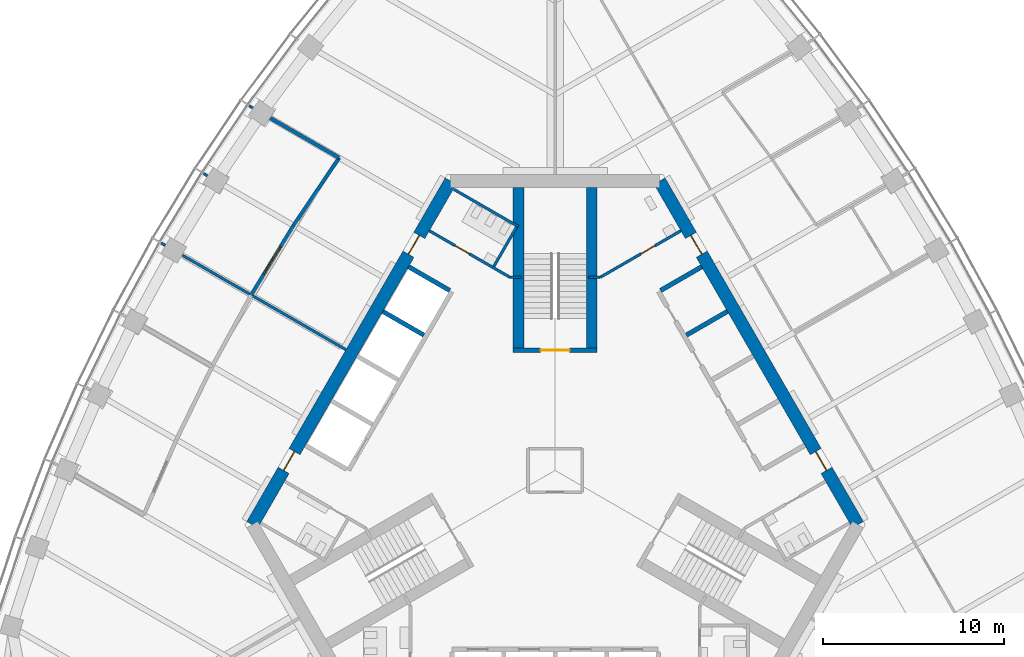
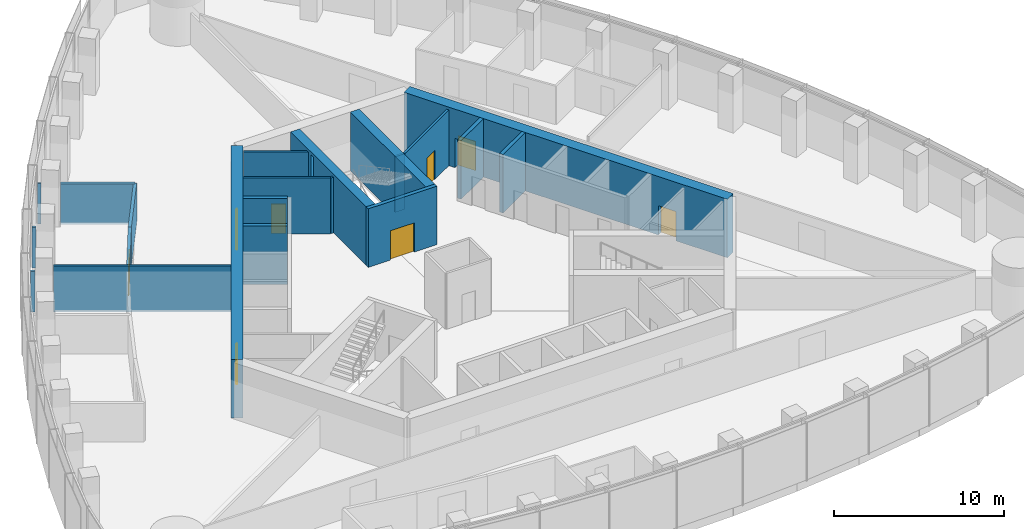
# One storey, part 13 of 19: 22 walls, 8 doors, 8 openings.
"""IFC4 building model written with IfcOpenShell, lengths in metres."""

from ifc_helpers import new_model, si_unit, direction, frame, frame_2d, origin, place, context, subcontext, project, spatial, rectangle, extrude, material, layer, layer_set, type_object, element, fill, save


model = new_model("IFC4")

# Units and contexts
model_context = context("Model", 3, precision=1e-05, world=origin(), true_north=direction((0.0, 1.0)))
body_context = subcontext(model_context, "Body", "Model", "MODEL_VIEW")
ifc_project = project(units=[si_unit("LENGTHUNIT", "METRE"), si_unit("AREAUNIT", "SQUARE_METRE"), si_unit("VOLUMEUNIT", "CUBIC_METRE"), si_unit("PLANEANGLEUNIT", "RADIAN"), si_unit("MASSUNIT", "GRAM", prefix="KILO")], contexts=[model_context])

# Site, building, storey
site_placement = place(None, origin())
site = spatial("IfcSite", under=ifc_project, at=site_placement, CompositionType="ELEMENT")
building_placement = place(site_placement, origin())
building = spatial("IfcBuilding", under=site, at=building_placement, Name="Trefoil Bronze Tower", CompositionType="ELEMENT")
storey_placement = place(building_placement, frame((0.0, 0.0, 227.5)))
storey = spatial("IfcBuildingStorey", under=building, at=storey_placement, Name="L52", CompositionType="ELEMENT", Elevation=227.5)

# Wall, opening, door
ifc_material_1 = material(Name="Gypsum board on steel studs", Category="steel")
ifc_layer_1 = layer(ifc_material_1, 0.199951171875)
ifc_layer_set_1 = layer_set([ifc_layer_1], Name="Acoustic partition 200")
wall_type_1 = type_object("IfcWallType", Name="Acoustic partition 200", PredefinedType="PARTITIONING", material=ifc_layer_set_1)
wall_1_placement = place(storey_placement, frame((-14.4619140625, 13.545654296875, 0.0), z_axis=(0.0, 0.0, 1.0), x_axis=(-0.519790350351, -0.85429385558, 0.0)))
wall_1 = element("IfcWall", 1, at=wall_1_placement, inside=storey, type_object=wall_type_1, Name="Partition F3 L52", PredefinedType="PARTITIONING", context=body_context, shape_type="SweptSolid", body=[
    extrude(rectangle(XDim=4.5009765625, YDim=0.199951171875, at=frame_2d((2.25048828125, 0.0))), origin(), (0.0, 0.0, 1.0), 2.89990234375),
])
opening_1_placement = place(wall_1_placement, frame((1.35009765625, 0.0, 0.14990234375)))
opening_1 = element("IfcOpeningElement", 2, at=opening_1_placement, cuts=wall_1, Name="Opening D10", PredefinedType="OPENING", context=body_context, shape_type="SweptSolid", body=[
    extrude(rectangle(XDim=1.800048828125, YDim=2.10009765625, at=frame_2d((0.89990234375, 1.050048828125))), frame((0.0, 0.10986328125, 0.0), z_axis=(0.0, -1.0, 0.0), x_axis=(1.0, 0.0, 0.0)), (0.0, 0.0, 1.0), 0.219970703125),
])
ifc_material_2 = material(Name="Timber door", Category="wood")
door_type_1 = type_object("IfcDoorType", Name="Double door 1800", OperationType="DOUBLE_DOOR_SINGLE_SWING", PredefinedType="DOOR", material=ifc_material_2)
door_1_placement = place(opening_1_placement, origin())
door_1 = element("IfcDoor", 3, at=door_1_placement, inside=storey, type_object=door_type_1, Name="Training room door F3 L52", OperationType="DOUBLE_DOOR_SINGLE_SWING", OverallHeight=2.10009765625, OverallWidth=1.800048828125, PredefinedType="DOOR", context=body_context, shape_type="SweptSolid", body=[
    extrude(rectangle(XDim=1.800048828125, YDim=2.10009765625, at=frame_2d((0.89990234375, 1.050048828125))), frame((0.0, 0.02490234375, 0.0), z_axis=(0.0, -1.0, 0.0), x_axis=(1.0, 0.0, 0.0)), (0.0, 0.0, 1.0), 0.050048828125),
])
fill(opening_1, door_1)

# Walls
wall_2_placement = place(storey_placement, frame((-11.942626953125, 17.287353515625, 0.0), z_axis=(0.0, 0.0, 1.0), x_axis=(-0.55850386778, -0.829501916619, 0.0)))
element("IfcWall", 4, at=wall_2_placement, inside=storey, type_object=wall_type_1, Name="Partition F3 L52", PredefinedType="PARTITIONING", context=body_context, shape_type="SweptSolid", body=[
    extrude(rectangle(XDim=4.5107421875, YDim=0.199951171875, at=frame_2d((2.25537109375, 0.0))), origin(), (0.0, 0.0, 1.0), 2.89990234375),
])
wall_3_placement = place(storey_placement, frame((-11.942626953125, 17.287353515625, 0.0), z_axis=(0.0, 0.0, 1.0), x_axis=(-0.86600959659, 0.500027377864, 0.0)))
element("IfcWall", 5, at=wall_3_placement, inside=storey, type_object=wall_type_1, Name="Partition F3 L52", PredefinedType="PARTITIONING", context=body_context, shape_type="SweptSolid", body=[
    extrude(rectangle(XDim=4.389404296875, YDim=0.199951171875, at=frame_2d((2.19482421875, 0.0))), origin(), (0.0, 0.0, 1.0), 2.89990234375),
])

# Wall, openings, doors
ifc_material_3 = material(Name="Concrete B80", Category="concrete")
ifc_layer_2 = layer(ifc_material_3, 0.699951171875)
ifc_layer_set_2 = layer_set([ifc_layer_2], Name="Core wall 700")
wall_type_2 = type_object("IfcWallType", Name="Core wall 700", PredefinedType="SHEAR", material=ifc_layer_set_2)
wall_4_placement = place(storey_placement, frame((16.7431640625, -3.0, 0.0), z_axis=(0.0, 0.0, 1.0), x_axis=(-0.500002442456, 0.866023993627, 0.0)))
wall_4 = element("IfcWall", 6, at=wall_4_placement, inside=storey, type_object=wall_type_2, Name="Core long wall 2 L52", PredefinedType="SHEAR", context=body_context, shape_type="SweptSolid", body=[
    extrude(rectangle(XDim=21.939453125, YDim=0.699951171875, at=frame_2d((10.9697265625, 0.0))), origin(), (0.0, 0.0, 1.0), 4.199951171875),
])
opening_2_placement = place(wall_4_placement, frame((17.269775390625, 0.0, 0.0)))
opening_2 = element("IfcOpeningElement", 7, at=opening_2_placement, cuts=wall_4, Name="Opening D2", PredefinedType="OPENING", context=body_context, shape_type="SweptSolid", body=[
    extrude(rectangle(XDim=1.199951171875, YDim=2.10009765625, at=frame_2d((0.60009765625, 1.050048828125))), frame((0.0, 0.35986328125, 0.0), z_axis=(0.0, -1.0, 0.0), x_axis=(1.0, 0.0, 0.0)), (0.0, 0.0, 1.0), 0.719970703125),
])
opening_3_placement = place(wall_4_placement, frame((3.4697265625, 0.0, 0.0)))
opening_3 = element("IfcOpeningElement", 8, at=opening_3_placement, cuts=wall_4, Name="Opening D2", PredefinedType="OPENING", context=body_context, shape_type="SweptSolid", body=[
    extrude(rectangle(XDim=1.199951171875, YDim=2.10009765625, at=frame_2d((0.60009765625, 1.050048828125))), frame((0.0, 0.35986328125, 0.0), z_axis=(0.0, -1.0, 0.0), x_axis=(1.0, 0.0, 0.0)), (0.0, 0.0, 1.0), 0.719970703125),
])
ifc_material_4 = material(Name="Steel door", Category="steel")
door_type_2 = type_object("IfcDoorType", Name="Lobby door 1200", OperationType="SINGLE_SWING_RIGHT", PredefinedType="DOOR", material=ifc_material_4)
door_2_placement = place(opening_2_placement, origin())
door_2 = element("IfcDoor", 9, at=door_2_placement, inside=storey, type_object=door_type_2, Name="Lobby door F2+ L52", OperationType="SINGLE_SWING_RIGHT", OverallHeight=2.10009765625, OverallWidth=1.199951171875, PredefinedType="DOOR", context=body_context, shape_type="SweptSolid", body=[
    extrude(rectangle(XDim=1.199951171875, YDim=2.10009765625, at=frame_2d((0.60009765625, 1.050048828125))), frame((0.0, 0.02490234375, 0.0), z_axis=(0.0, -1.0, 0.0), x_axis=(1.0, 0.0, 0.0)), (0.0, 0.0, 1.0), 0.050048828125),
])
fill(opening_2, door_2)
door_3_placement = place(opening_3_placement, origin())
door_3 = element("IfcDoor", 10, at=door_3_placement, inside=storey, type_object=door_type_2, Name="Lobby door F2- L52", OperationType="SINGLE_SWING_LEFT", OverallHeight=2.10009765625, OverallWidth=1.199951171875, PredefinedType="DOOR", context=body_context, shape_type="SweptSolid", body=[
    extrude(rectangle(XDim=1.199951171875, YDim=2.10009765625, at=frame_2d((0.60009765625, 1.050048828125))), frame((0.0, 0.02490234375, 0.0), z_axis=(0.0, -1.0, 0.0), x_axis=(1.0, 0.0, 0.0)), (0.0, 0.0, 1.0), 0.050048828125),
])
fill(opening_3, door_3)

wall_5_placement = place(storey_placement, frame((-5.7734375, 16.0, 0.0), z_axis=(0.0, 0.0, 1.0), x_axis=(-0.500002442456, -0.866023993627, 0.0)))
wall_5 = element("IfcWall", 11, at=wall_5_placement, inside=storey, type_object=wall_type_2, Name="Core long wall 3 L52", PredefinedType="SHEAR", context=body_context, shape_type="SweptSolid", body=[
    extrude(rectangle(XDim=21.939453125, YDim=0.699951171875, at=frame_2d((10.9697265625, 0.0))), origin(), (0.0, 0.0, 1.0), 4.199951171875),
])
opening_4_placement = place(wall_5_placement, frame((17.269775390625, 0.0, 0.0)))
opening_4 = element("IfcOpeningElement", 12, at=opening_4_placement, cuts=wall_5, Name="Opening D2", PredefinedType="OPENING", context=body_context, shape_type="SweptSolid", body=[
    extrude(rectangle(XDim=1.199951171875, YDim=2.10009765625, at=frame_2d((0.60009765625, 1.050048828125))), frame((0.0, 0.35986328125, 0.0), z_axis=(0.0, -1.0, 0.0), x_axis=(1.0, 0.0, 0.0)), (0.0, 0.0, 1.0), 0.719970703125),
])
opening_5_placement = place(wall_5_placement, frame((3.4697265625, 0.0, 0.0)))
opening_5 = element("IfcOpeningElement", 13, at=opening_5_placement, cuts=wall_5, Name="Opening D2", PredefinedType="OPENING", context=body_context, shape_type="SweptSolid", body=[
    extrude(rectangle(XDim=1.199951171875, YDim=2.10009765625, at=frame_2d((0.60009765625, 1.050048828125))), frame((0.0, 0.35986328125, 0.0), z_axis=(0.0, -1.0, 0.0), x_axis=(1.0, 0.0, 0.0)), (0.0, 0.0, 1.0), 0.719970703125),
])
door_4_placement = place(opening_4_placement, origin())
door_4 = element("IfcDoor", 14, at=door_4_placement, inside=storey, type_object=door_type_2, Name="Lobby door F3+ L52", OperationType="SINGLE_SWING_RIGHT", OverallHeight=2.10009765625, OverallWidth=1.199951171875, PredefinedType="DOOR", context=body_context, shape_type="SweptSolid", body=[
    extrude(rectangle(XDim=1.199951171875, YDim=2.10009765625, at=frame_2d((0.60009765625, 1.050048828125))), frame((0.0, 0.02490234375, 0.0), z_axis=(0.0, -1.0, 0.0), x_axis=(1.0, 0.0, 0.0)), (0.0, 0.0, 1.0), 0.050048828125),
])
fill(opening_4, door_4)
door_5_placement = place(opening_5_placement, origin())
door_5 = element("IfcDoor", 15, at=door_5_placement, inside=storey, type_object=door_type_2, Name="Lobby door F3- L52", OperationType="SINGLE_SWING_LEFT", OverallHeight=2.10009765625, OverallWidth=1.199951171875, PredefinedType="DOOR", context=body_context, shape_type="SweptSolid", body=[
    extrude(rectangle(XDim=1.199951171875, YDim=2.10009765625, at=frame_2d((0.60009765625, 1.050048828125))), frame((0.0, 0.02490234375, 0.0), z_axis=(0.0, -1.0, 0.0), x_axis=(1.0, 0.0, 0.0)), (0.0, 0.0, 1.0), 0.050048828125),
])
fill(opening_5, door_5)

# Wall, opening, door
ifc_material_5 = material(Name="Gypsum board on steel studs", Category="steel")
ifc_layer_3 = layer(ifc_material_5, 0.14990234375)
ifc_layer_set_3 = layer_set([ifc_layer_3], Name="Partition 150")
wall_type_3 = type_object("IfcWallType", Name="Partition 150", PredefinedType="PARTITIONING", material=ifc_layer_set_3)
wall_6_placement = place(storey_placement, frame((2.4951171875, 10.67822265625, 0.0), z_axis=(0.0, 0.0, 1.0), x_axis=(0.866037967349, 0.499978238636, 0.0)))
wall_6 = element("IfcWall", 16, at=wall_6_placement, inside=storey, type_object=wall_type_3, Name="Passage wall F2+ L52", PredefinedType="PARTITIONING", context=body_context, shape_type="SweptSolid", body=[
    extrude(rectangle(XDim=5.150146484375, YDim=0.14990234375, at=frame_2d((2.5751953125, 0.0))), origin(), (0.0, 0.0, 1.0), 4.0),
])
opening_6_placement = place(wall_6_placement, frame((2.60009765625, 0.0, 0.0)))
opening_6 = element("IfcOpeningElement", 17, at=opening_6_placement, cuts=wall_6, Name="Opening D3", PredefinedType="OPENING", context=body_context, shape_type="SweptSolid", body=[
    extrude(rectangle(XDim=0.89990234375, YDim=2.10009765625, at=frame_2d((0.449951171875, 1.050048828125))), frame((0.0, 0.0849609375, 0.0), z_axis=(0.0, -1.0, 0.0), x_axis=(1.0, 0.0, 0.0)), (0.0, 0.0, 1.0), 0.169921875),
])
ifc_material_6 = material(Name="Timber door", Category="wood")
door_type_3 = type_object("IfcDoorType", Name="WC door 900", OperationType="SINGLE_SWING_LEFT", PredefinedType="DOOR", material=ifc_material_6)
door_6_placement = place(opening_6_placement, origin())
door_6 = element("IfcDoor", 18, at=door_6_placement, inside=storey, type_object=door_type_3, Name="Accessible WC door L52", OperationType="SINGLE_SWING_RIGHT", OverallHeight=2.10009765625, OverallWidth=0.89990234375, PredefinedType="DOOR", context=body_context, shape_type="SweptSolid", body=[
    extrude(rectangle(XDim=0.89990234375, YDim=2.10009765625, at=frame_2d((0.449951171875, 1.050048828125))), frame((0.0, 0.02490234375, 0.0), z_axis=(0.0, -1.0, 0.0), x_axis=(1.0, 0.0, 0.0)), (0.0, 0.0, 1.0), 0.050048828125),
])
fill(opening_6, door_6)

wall_7_placement = place(storey_placement, frame((-2.4951171875, 10.67822265625, 0.0), z_axis=(0.0, 0.0, 1.0), x_axis=(-0.866037967349, 0.499978238636, 0.0)))
wall_7 = element("IfcWall", 19, at=wall_7_placement, inside=storey, type_object=wall_type_3, Name="Passage wall F3- L52", PredefinedType="PARTITIONING", context=body_context, shape_type="SweptSolid", body=[
    extrude(rectangle(XDim=5.150146484375, YDim=0.14990234375, at=frame_2d((2.5751953125, 0.0))), origin(), (0.0, 0.0, 1.0), 4.0),
])
opening_7_placement = place(wall_7_placement, frame((2.60009765625, 0.0, 0.0)))
opening_7 = element("IfcOpeningElement", 20, at=opening_7_placement, cuts=wall_7, Name="Opening D3", PredefinedType="OPENING", context=body_context, shape_type="SweptSolid", body=[
    extrude(rectangle(XDim=0.89990234375, YDim=2.10009765625, at=frame_2d((0.449951171875, 1.050048828125))), frame((0.0, 0.0849609375, 0.0), z_axis=(0.0, -1.0, 0.0), x_axis=(1.0, 0.0, 0.0)), (0.0, 0.0, 1.0), 0.169921875),
])
door_7_placement = place(opening_7_placement, frame((0.89990234375, 0.0, 0.0), z_axis=(0.0, 0.0, 1.0), x_axis=(-1.0, 0.0, 0.0)))
door_7 = element("IfcDoor", 21, at=door_7_placement, inside=storey, type_object=door_type_3, Name="WC (women) door L52", OperationType="SINGLE_SWING_RIGHT", OverallHeight=2.10009765625, OverallWidth=0.89990234375, PredefinedType="DOOR", context=body_context, shape_type="SweptSolid", body=[
    extrude(rectangle(XDim=0.89990234375, YDim=2.10009765625, at=frame_2d((0.449951171875, 1.050048828125))), frame((0.0, 0.02490234375, 0.0), z_axis=(0.0, -1.0, 0.0), x_axis=(1.0, 0.0, 0.0)), (0.0, 0.0, 1.0), 0.050048828125),
])
fill(opening_7, door_7)

# Walls
for number, where, z_axis, x_axis, name in (
    (22, (2.4951171875, 10.67822265625, 0.0), (0.0, 0.0, 1.0), (-1.0, 0.0, 0.0), "WC wall ST2-1 L52"),
    (23, (-2.4951171875, 10.67822265625, 0.0), (0.0, 0.0, 1.0), (1.0, 0.0, 0.0), "WC wall ST2+1 L52"),
):
    element("IfcWall", number, at=place(storey_placement, frame(where, z_axis=z_axis, x_axis=x_axis)), inside=storey, type_object=wall_type_3, Name=name, PredefinedType="PARTITIONING", context=body_context, shape_type="SweptSolid", body=[
        extrude(rectangle(XDim=0.64501953125, YDim=0.14990234375, at=frame_2d((0.322509765625, 0.0))), origin(), (0.0, 0.0, 1.0), 4.0),
    ])
wall_8_placement = place(storey_placement, frame((-2.03125, 13.48193359375, 0.0), z_axis=(0.0, 0.0, 1.0), x_axis=(-0.866050731258, 0.499956128963, 0.0)))
element("IfcWall", 24, at=wall_8_placement, inside=storey, type_object=wall_type_3, Name="WC partition WC (women) L52", PredefinedType="PARTITIONING", context=body_context, shape_type="SweptSolid", body=[
    extrude(rectangle(XDim=4.099853515625, YDim=0.14990234375, at=frame_2d((2.0498046875, 0.0))), origin(), (0.0, 0.0, 1.0), 4.0),
])
wall_9_placement = place(storey_placement, frame((-3.388671875, 11.28076171875, 0.0), z_axis=(0.0, 0.0, 1.0), x_axis=(0.499989096993, 0.866031698547, 0.0)))
element("IfcWall", 25, at=wall_9_placement, inside=storey, type_object=wall_type_3, Name="WC partition WC (women) L52", PredefinedType="PARTITIONING", context=body_context, shape_type="SweptSolid", body=[
    extrude(rectangle(XDim=2.509765625, YDim=0.14990234375, at=frame_2d((1.2548828125, 0.0))), origin(), (0.0, 0.0, 1.0), 4.0),
])
wall_10_placement = place(storey_placement, frame((-21.54638671875, 12.439697265625, 0.0), z_axis=(0.0, 0.0, 1.0), x_axis=(-0.866032814021, 0.499987164874, 0.0)))
element("IfcWall", 26, at=wall_10_placement, inside=storey, type_object=wall_type_3, Name="Partition F3 L52", PredefinedType="PARTITIONING", context=body_context, shape_type="SweptSolid", body=[
    extrude(rectangle(XDim=0.26611328125, YDim=0.14990234375, at=frame_2d((0.133056640625, 0.0))), origin(), (0.0, 0.0, 1.0), 2.89990234375),
])
wall_11_placement = place(storey_placement, frame((-19.2265625, 16.296630859375, 0.0), z_axis=(0.0, 0.0, 1.0), x_axis=(-0.866135455726, 0.499809335981, 0.0)))
element("IfcWall", 27, at=wall_11_placement, inside=storey, type_object=wall_type_3, Name="Partition F3 L52", PredefinedType="PARTITIONING", context=body_context, shape_type="SweptSolid", body=[
    extrude(rectangle(XDim=0.2431640625, YDim=0.14990234375, at=frame_2d((0.12158203125, 0.0))), origin(), (0.0, 0.0, 1.0), 2.89990234375),
])
wall_12_placement = place(storey_placement, frame((-16.724609375, 20.04833984375, 0.0), z_axis=(0.0, 0.0, 1.0), x_axis=(-0.866149170119, 0.499785569122, 0.0)))
element("IfcWall", 28, at=wall_12_placement, inside=storey, type_object=wall_type_3, Name="Partition F3 L52", PredefinedType="PARTITIONING", context=body_context, shape_type="SweptSolid", body=[
    extrude(rectangle(XDim=0.22314453125, YDim=0.14990234375, at=frame_2d((0.111572265625, 0.0))), origin(), (0.0, 0.0, 1.0), 2.89990234375),
])
ifc_material_7 = material(Name="Gypsum board on steel studs", Category="steel")
ifc_layer_4 = layer(ifc_material_7, 0.14990234375)
ifc_layer_set_4 = layer_set([ifc_layer_4], Name="Party wall 150")
wall_type_4 = type_object("IfcWallType", Name="Party wall 150", PredefinedType="PARTITIONING", material=ifc_layer_set_4)
wall_13_placement = place(storey_placement, frame((-11.570068359375, 6.679931640625, 0.0), z_axis=(0.0, 0.0, 1.0), x_axis=(-0.866028972293, 0.499993819111, 0.0)))
element("IfcWall", 29, at=wall_13_placement, inside=storey, type_object=wall_type_4, Name="Demising wall F3 L52", PredefinedType="PARTITIONING", context=body_context, shape_type="SweptSolid", body=[
    extrude(rectangle(XDim=10.435791015625, YDim=0.14990234375, at=frame_2d((5.2177734375, 0.0))), origin(), (0.0, 0.0, 1.0), 3.300048828125),
])
ifc_material_8 = material(Name="Concrete B80", Category="concrete")
ifc_layer_5 = layer(ifc_material_8, 0.25)
ifc_layer_set_5 = layer_set([ifc_layer_5], Name="Shaft wall 250")
wall_type_5 = type_object("IfcWallType", Name="Shaft wall 250", PredefinedType="SHEAR", material=ifc_layer_set_5)
for number, where, z_axis, x_axis, name in (
    (30, (7.2568359375, 7.480712890625, 0.0), (0.0, 0.0, 1.0), (0.866036909293, 0.499980071345, 0.0), "Lift shaft side wall B3 L52"),
    (31, (5.831787109375, 9.94873046875, 0.0), (0.0, 0.0, 1.0), (0.866036909293, 0.499980071345, 0.0), "Lift shaft side wall B4 L52"),
    (32, (-5.831787109375, 9.94873046875, 0.0), (0.0, 0.0, 1.0), (-0.866036909293, 0.499980071345, 0.0), "Lift shaft side wall C0 L52"),
    (33, (-7.2568359375, 7.480712890625, 0.0), (0.0, 0.0, 1.0), (-0.866036909293, 0.499980071345, 0.0), "Lift shaft side wall C1 L52"),
):
    element("IfcWall", number, at=place(storey_placement, frame(where, z_axis=z_axis, x_axis=x_axis)), inside=storey, type_object=wall_type_5, Name=name, PredefinedType="SHEAR", context=body_context, shape_type="SweptSolid", body=[
        extrude(rectangle(XDim=2.625, YDim=0.25, at=frame_2d((1.3125, 0.0))), origin(), (0.0, 0.0, 1.0), 4.199951171875),
    ])

# Wall, opening, door
wall_14_placement = place(storey_placement, frame((2.324951171875, 6.64990234375, 0.0), z_axis=(0.0, 0.0, 1.0), x_axis=(-1.0, 0.0, 0.0)))
wall_14 = element("IfcWall", 34, at=wall_14_placement, inside=storey, type_object=wall_type_5, Name="Stair end wall ST2 L52", PredefinedType="SHEAR", context=body_context, shape_type="SweptSolid", body=[
    extrude(rectangle(XDim=4.64990234375, YDim=0.25, at=frame_2d((2.324951171875, 0.0))), origin(), (0.0, 0.0, 1.0), 4.199951171875),
])
opening_8_placement = place(wall_14_placement, frame((1.52490234375, 0.0, 0.0)))
opening_8 = element("IfcOpeningElement", 35, at=opening_8_placement, cuts=wall_14, Name="Opening D1", PredefinedType="OPENING", context=body_context, shape_type="SweptSolid", body=[
    extrude(rectangle(XDim=1.60009765625, YDim=2.10009765625, at=frame_2d((0.800048828125, 1.050048828125))), frame((0.0, 0.135009765625, 0.0), z_axis=(0.0, -1.0, 0.0), x_axis=(1.0, 0.0, 0.0)), (0.0, 0.0, 1.0), 0.27001953125),
])
ifc_material_9 = material(Name="Steel door", Category="steel")
door_type_4 = type_object("IfcDoorType", Name="Stair door 1600", OperationType="DOUBLE_DOOR_SINGLE_SWING", PredefinedType="DOOR", material=ifc_material_9)
door_8_placement = place(opening_8_placement, frame((1.60009765625, 0.0, 0.0), z_axis=(0.0, 0.0, 1.0), x_axis=(-1.0, 0.0, 0.0)))
door_8 = element("IfcDoor", 36, at=door_8_placement, inside=storey, type_object=door_type_4, Name="Stair door ST2 L52", OperationType="DOUBLE_DOOR_SINGLE_SWING", OverallHeight=2.10009765625, OverallWidth=1.60009765625, PredefinedType="DOOR", context=body_context, shape_type="SweptSolid", body=[
    extrude(rectangle(XDim=1.60009765625, YDim=2.10009765625, at=frame_2d((0.800048828125, 1.050048828125))), frame((0.0, 0.02490234375, 0.0), z_axis=(0.0, -1.0, 0.0), x_axis=(1.0, 0.0, 0.0)), (0.0, 0.0, 1.0), 0.050048828125),
])
fill(opening_8, door_8)

# Walls
ifc_material_10 = material(Name="Concrete B80", Category="concrete")
ifc_layer_6 = layer(ifc_material_10, 0.60009765625)
ifc_layer_set_6 = layer_set([ifc_layer_6], Name="Stair wall 600")
wall_type_6 = type_object("IfcWallType", Name="Stair wall 600", PredefinedType="SHEAR", material=ifc_layer_set_6)
for number, where, z_axis, x_axis, name in (
    (37, (2.02490234375, 6.52490234375, 0.0), (0.0, 0.0, 1.0), (0.0, 1.0, 0.0), "Stair wall ST2 L52"),
    (38, (-2.02490234375, 6.52490234375, 0.0), (0.0, 0.0, 1.0), (0.0, 1.0, 0.0), "Stair wall ST2 L52"),
):
    element("IfcWall", number, at=place(storey_placement, frame(where, z_axis=z_axis, x_axis=x_axis)), inside=storey, type_object=wall_type_6, Name=name, PredefinedType="SHEAR", context=body_context, shape_type="SweptSolid", body=[
        extrude(rectangle(XDim=9.125, YDim=0.60009765625, at=frame_2d((4.5625, 0.0))), origin(), (0.0, 0.0, 1.0), 4.199951171875),
    ])

save(model, "model.ifc")
